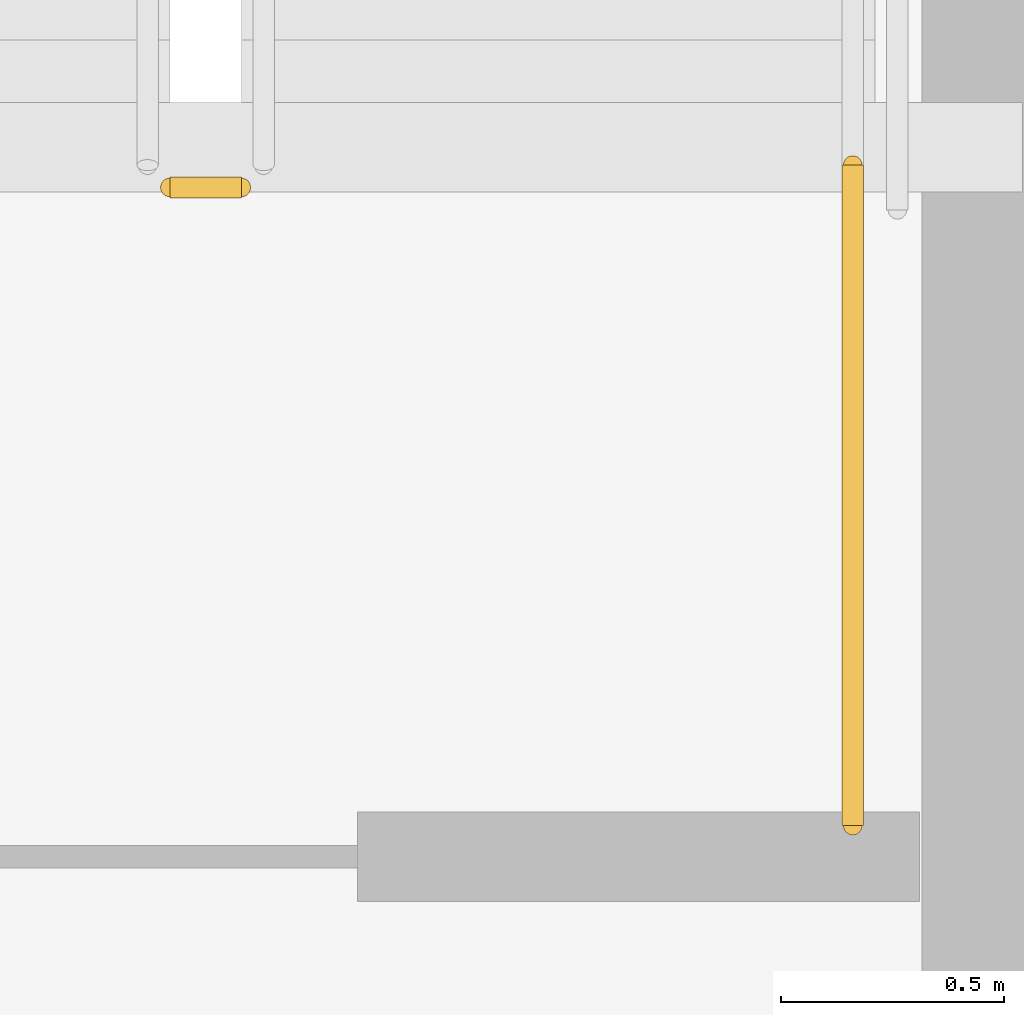
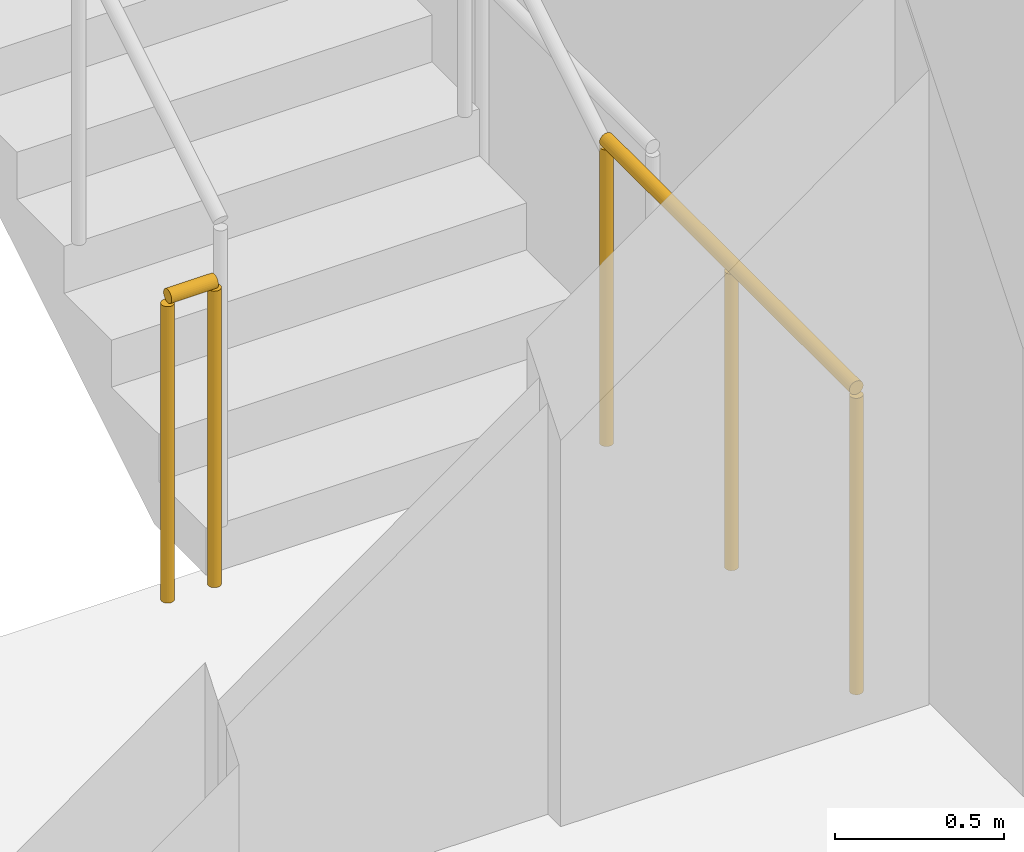
# One storey, part 28 of 32: 2 railings.
"""IFC4 building model written with IfcOpenShell, lengths in metres."""

from ifc_helpers import new_model, si_unit, direction, frame, origin, origin_2d, place, context, subcontext, project, spatial, circle, extrude, material, layer, layer_set, type_object, element, save


model = new_model("IFC4")

# Units and contexts
model_context = context("Model", 3, precision=1e-05, world=origin(), true_north=direction((0.0, 1.0)))
body_context = subcontext(model_context, "Body", "Model", "MODEL_VIEW")
ifc_project = project(units=[si_unit("LENGTHUNIT", "METRE"), si_unit("AREAUNIT", "SQUARE_METRE"), si_unit("VOLUMEUNIT", "CUBIC_METRE"), si_unit("PLANEANGLEUNIT", "RADIAN"), si_unit("MASSUNIT", "GRAM", prefix="KILO")], contexts=[model_context])

# Site, building, storey
site_placement = place(None, origin())
site = spatial("IfcSite", under=ifc_project, at=site_placement, CompositionType="ELEMENT")
building_placement = place(site_placement, origin())
building = spatial("IfcBuilding", under=site, at=building_placement, Name="Yelkora Congress Tower", CompositionType="ELEMENT")
storey_placement = place(building_placement, frame((0.0, 0.0, 99.89990234375)))
storey = spatial("IfcBuildingStorey", under=building, at=storey_placement, Name="L26", CompositionType="ELEMENT", Elevation=99.89990234375)

# Railings
ifc_material = material(Name="Painted galvanised steel stair well guard with vertical infill", Category="steel")
ifc_layer = layer(ifc_material, 0.06005859375)
ifc_layer_set = layer_set([ifc_layer], Name="Painted galvanised steel stair well guard with vertical infill")
railing_type = type_object("IfcRailingType", Name="RAIL-STAIR-GUARD-1120", PredefinedType="GUARDRAIL", material=ifc_layer_set)
railing_1_placement = place(storey_placement, frame((25.39990234375, 39.550048828125, 0.0)))
element("IfcRailing", 1, at=railing_1_placement, inside=storey, type_object=railing_type, Name="ST-01 L26 Stair Well Guardrail 7", PredefinedType="GUARDRAIL", context=body_context, shape_type="SweptSolid", body=[
    extrude(circle(Radius=0.02392578125, at=origin_2d()), frame((0.0, 0.0, 1.09619140625), z_axis=(-1.0, 0.0, 0.0), x_axis=(0.0, -1.0, 0.0)), (0.0, 0.0, 1.0), 0.159912109375),
    extrude(circle(Radius=0.02099609375, at=origin_2d()), origin(), (0.0, 0.0, 1.0), 1.072021484375),
    extrude(circle(Radius=0.02099609375, at=origin_2d()), frame((-0.159912109375, 0.0, 0.0)), (0.0, 0.0, 1.0), 1.072021484375),
])
railing_2_placement = place(storey_placement, frame((26.77001953125, 38.1201171875, 0.0)))
element("IfcRailing", 2, at=railing_2_placement, inside=storey, type_object=railing_type, Name="ST-01 L26 Stair Well Guardrail 8", PredefinedType="GUARDRAIL", context=body_context, shape_type="SweptSolid", body=[
    extrude(circle(Radius=0.02392578125, at=origin_2d()), frame((0.0, 0.0, 1.09619140625), z_axis=(0.0, 1.0, 0.0), x_axis=(-1.0, 0.0, 0.0)), (0.0, 0.0, 1.0), 1.47998046875),
    extrude(circle(Radius=0.02099609375, at=origin_2d()), origin(), (0.0, 0.0, 1.0), 1.072021484375),
    extrude(circle(Radius=0.02099609375, at=origin_2d()), frame((0.0, 0.739990234375, 0.0)), (0.0, 0.0, 1.0), 1.072021484375),
    extrude(circle(Radius=0.02099609375, at=origin_2d()), frame((0.0, 1.47998046875, 0.0)), (0.0, 0.0, 1.0), 1.072021484375),
])

save(model, "model.ifc")
